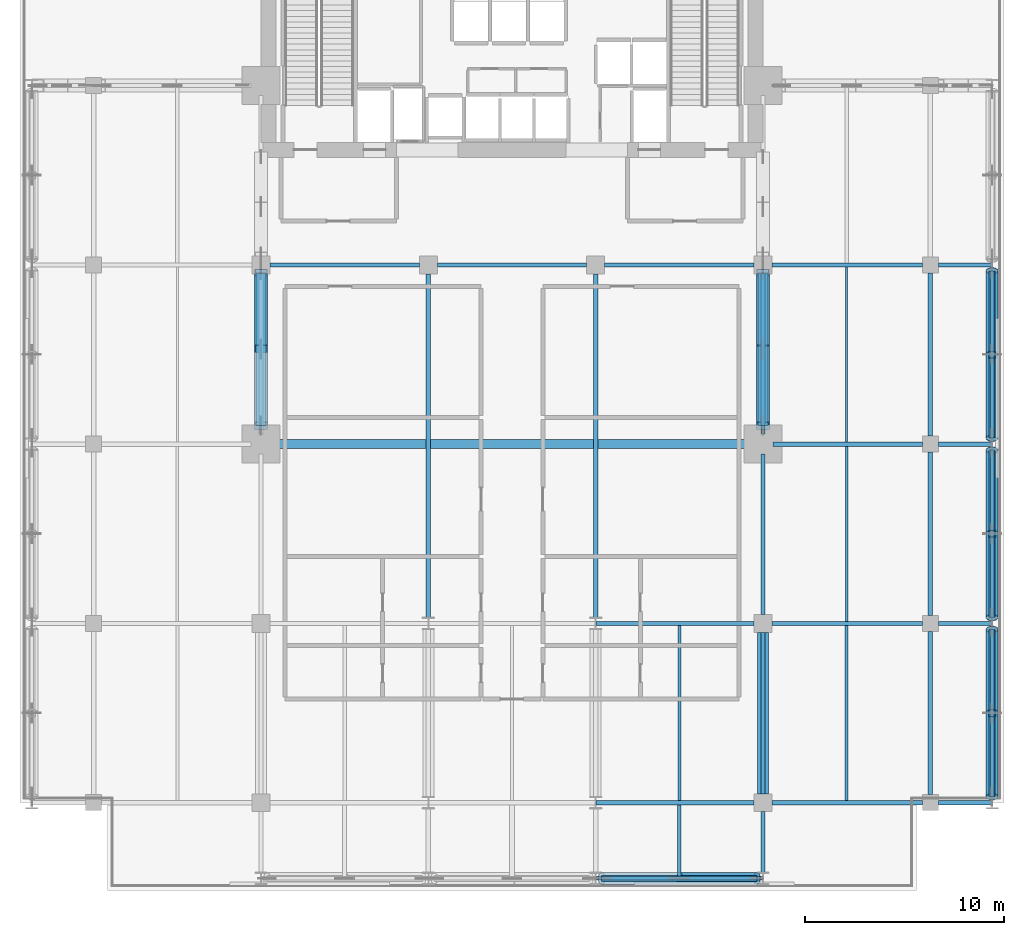
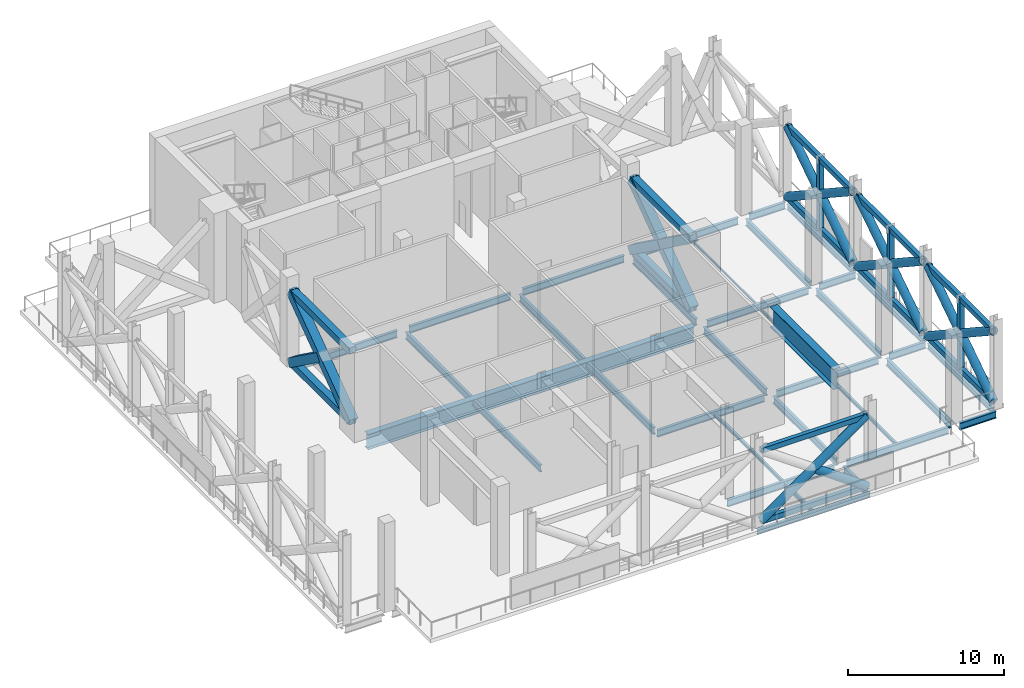
# One storey, part 3 of 14: 33 beams, 31 members.
"""IFC4 building model written with IfcOpenShell, lengths in metres."""

from ifc_helpers import new_model, si_unit, direction, frame, origin, origin_2d, place, context, subcontext, project, spatial, hollow_rectangle, hollow_circle, i_section, extrude, material, material_profile, profile_set, type_object, element, save


model = new_model("IFC4")

# Units and contexts
model_context = context("Model", 3, precision=1e-05, world=origin(), true_north=direction((0.0, 1.0)))
body_context = subcontext(model_context, "Body", "Model", "MODEL_VIEW")
ifc_project = project(units=[si_unit("LENGTHUNIT", "METRE"), si_unit("AREAUNIT", "SQUARE_METRE"), si_unit("VOLUMEUNIT", "CUBIC_METRE"), si_unit("PLANEANGLEUNIT", "RADIAN"), si_unit("MASSUNIT", "GRAM", prefix="KILO")], contexts=[model_context])

# Site, building, storey
site_placement = place(None, origin())
site = spatial("IfcSite", under=ifc_project, at=site_placement, CompositionType="ELEMENT")
building_placement = place(site_placement, origin())
building = spatial("IfcBuilding", under=site, at=building_placement, Name="Maruvema Waterfront Hotel and Observation Tower", CompositionType="ELEMENT")
storey_placement = place(building_placement, frame((0.0, 0.0, 227.5)))
storey = spatial("IfcBuildingStorey", under=building, at=storey_placement, Name="L56", CompositionType="ELEMENT", Elevation=227.5)

# Members
ifc_material_1 = material(Name="Steel ABNT NBR 7007 AR 415 (ASTM A572 Grade 50)", Category="steel")
ifc_material_profile_1 = material_profile(ifc_material_1, hollow_rectangle(XDim=0.5, YDim=0.5, WallThickness=0.028076171875, at=origin_2d()), Name="SHS500x500x28.0")
ifc_profile_set_1 = profile_set([ifc_material_profile_1], Name="Steel ABNT NBR 7007 AR 415 (ASTM A572 Grade 50)")
member_type_1 = type_object("IfcMemberType", Name="Outrigger Truss Chord SHS500x500x28.0", PredefinedType="CHORD", material=ifc_profile_set_1)
for number, where, z_axis, x_axis, name in (
    (1, (25.199951171875, 27.929931640625, 0.25), (0.0, 1.0, 0.0), (-1.0, 0.0, 0.0), "L56 Outrigger Truss Bottom Chord W1"),
    (2, (25.199951171875, 27.929931640625, 5.780029296875), (0.0, 1.0, 0.0), (-1.0, 0.0, 0.0), "L56 Outrigger Truss Top Chord W1"),
    (3, (50.39990234375, 27.929931640625, 0.25), (0.0, 1.0, 0.0), (-1.0, 0.0, 0.0), "L56 Outrigger Truss Bottom Chord E1"),
    (4, (50.39990234375, 27.929931640625, 5.780029296875), (0.0, 1.0, 0.0), (-1.0, 0.0, 0.0), "L56 Outrigger Truss Top Chord E1"),
):
    element("IfcMember", number, at=place(storey_placement, frame(where, z_axis=z_axis, x_axis=x_axis)), inside=storey, type_object=member_type_1, Name=name, PredefinedType="CHORD", context=body_context, shape_type="SweptSolid", body=[
        extrude(hollow_rectangle(XDim=0.5, YDim=0.5, WallThickness=0.028076171875, at=origin_2d()), origin(), (0.0, 0.0, 1.0), 7.670166015625),
    ])
ifc_material_2 = material(Name="Steel ABNT NBR 7007 AR 415 (ASTM A572 Grade 50)", Category="steel")
ifc_material_profile_2 = material_profile(ifc_material_2, hollow_rectangle(XDim=0.64990234375, YDim=0.64990234375, WallThickness=0.035888671875, at=origin_2d()), Name="SHS650x650x36.0")
ifc_profile_set_2 = profile_set([ifc_material_profile_2], Name="Steel ABNT NBR 7007 AR 415 (ASTM A572 Grade 50)")
member_type_2 = type_object("IfcMemberType", Name="Outrigger Truss Diagonal SHS650x650x36.0", PredefinedType="BRACE", material=ifc_profile_set_2)
member_1_placement = place(storey_placement, frame((25.199951171875, 27.929931640625, 0.25), z_axis=(0.0, 0.811157579108, 0.584827651411), x_axis=(-1.0, 0.0, 0.0)))
element("IfcMember", 5, at=member_1_placement, inside=storey, type_object=member_type_2, Name="L56 Outrigger Truss Diagonal W1 Continuous A", PredefinedType="BRACE", context=body_context, shape_type="SweptSolid", body=[
    extrude(hollow_rectangle(XDim=0.64990234375, YDim=0.64990234375, WallThickness=0.035888671875, at=origin_2d()), origin(), (0.0, 0.0, 1.0), 9.455810546875),
])
member_2_placement = place(storey_placement, frame((25.199951171875, 35.60009765625, 0.25), z_axis=(0.0, -0.811146629148, 0.584842838737), x_axis=(1.0, 0.0, 0.0)))
element("IfcMember", 6, at=member_2_placement, inside=storey, type_object=member_type_2, Name="L56 Outrigger Truss Diagonal W1 Split Lower B1", PredefinedType="BRACE", context=body_context, shape_type="SweptSolid", body=[
    extrude(hollow_rectangle(XDim=0.64990234375, YDim=0.64990234375, WallThickness=0.035888671875, at=origin_2d()), origin(), (0.0, 0.0, 1.0), 4.7080078125),
])
member_3_placement = place(storey_placement, frame((50.39990234375, 27.929931640625, 0.25), z_axis=(0.0, 0.811157579108, 0.584827651411), x_axis=(-1.0, 0.0, 0.0)))
element("IfcMember", 7, at=member_3_placement, inside=storey, type_object=member_type_2, Name="L56 Outrigger Truss Diagonal E1 Continuous A", PredefinedType="BRACE", context=body_context, shape_type="SweptSolid", body=[
    extrude(hollow_rectangle(XDim=0.64990234375, YDim=0.64990234375, WallThickness=0.035888671875, at=origin_2d()), origin(), (0.0, 0.0, 1.0), 9.455810546875),
])
for number, where, z_axis, x_axis, name in (
    (8, (50.39990234375, 35.60009765625, 0.25), (0.0, -0.811146629148, 0.584842838737), (1.0, 0.0, 0.0), "L56 Outrigger Truss Diagonal E1 Split Lower B1"),
    (9, (50.39990234375, 31.748779296875, 3.026611328125), (0.0, -0.811146629148, 0.584842838737), (1.0, 0.0, 0.0), "L56 Outrigger Truss Diagonal E1 Split Upper B2"),
):
    element("IfcMember", number, at=place(storey_placement, frame(where, z_axis=z_axis, x_axis=x_axis)), inside=storey, type_object=member_type_2, Name=name, PredefinedType="BRACE", context=body_context, shape_type="SweptSolid", body=[
        extrude(hollow_rectangle(XDim=0.64990234375, YDim=0.64990234375, WallThickness=0.035888671875, at=origin_2d()), origin(), (0.0, 0.0, 1.0), 4.7080078125),
    ])
ifc_material_3 = material(Name="Steel ABNT NBR 7007 AR 415 (ASTM A572 Grade 50)", Category="steel")
ifc_material_profile_3 = material_profile(ifc_material_3, hollow_rectangle(XDim=0.300048828125, YDim=0.39990234375, WallThickness=0.02001953125, at=origin_2d()), Name="RHS400x300x20.0")
ifc_profile_set_3 = profile_set([ifc_material_profile_3], Name="Steel ABNT NBR 7007 AR 415 (ASTM A572 Grade 50)")
member_type_3 = type_object("IfcMemberType", Name="Perimeter Belt Truss Chord RHS400x300x20.0", PredefinedType="CHORD", material=ifc_profile_set_3)
for number, where, z_axis, x_axis, name in (
    (10, (61.89990234375, 9.300048828125, 0.25), (0.0, 1.0, 0.0), (-1.0, 0.0, 0.0), "L56 Perimeter Belt Truss Chord E5"),
    (11, (61.89990234375, 9.300048828125, 5.780029296875), (0.0, 1.0, 0.0), (-1.0, 0.0, 0.0), "L56 Perimeter Belt Truss Top Chord E5"),
    (12, (61.89990234375, 18.300048828125, 0.25), (0.0, 1.0, 0.0), (-1.0, 0.0, 0.0), "L56 Perimeter Belt Truss Chord E6"),
    (13, (61.89990234375, 18.300048828125, 5.780029296875), (0.0, 1.0, 0.0), (-1.0, 0.0, 0.0), "L56 Perimeter Belt Truss Top Chord E6"),
    (14, (61.89990234375, 27.300048828125, 0.25), (0.0, 1.0, 0.0), (-1.0, 0.0, 0.0), "L56 Perimeter Belt Truss Chord E7"),
    (15, (61.89990234375, 27.300048828125, 5.780029296875), (0.0, 1.0, 0.0), (-1.0, 0.0, 0.0), "L56 Perimeter Belt Truss Top Chord E7"),
):
    element("IfcMember", number, at=place(storey_placement, frame(where, z_axis=z_axis, x_axis=x_axis)), inside=storey, type_object=member_type_3, Name=name, PredefinedType="CHORD", context=body_context, shape_type="SweptSolid", body=[
        extrude(hollow_rectangle(XDim=0.300048828125, YDim=0.39990234375, WallThickness=0.02001953125, at=origin_2d()), origin(), (0.0, 0.0, 1.0), 8.39990234375),
    ])
for number, where, z_axis, x_axis, name in (
    (16, (42.300048828125, 5.199951171875, 0.25), (1.0, 0.0, 0.0), (0.0, 1.0, 0.0), "L56 South Perimeter Belt Truss Chord 3"),
    (17, (42.300048828125, 5.199951171875, 5.780029296875), (1.0, 0.0, 0.0), (0.0, 1.0, 0.0), "L56 South Perimeter Belt Truss Top Chord 3"),
):
    element("IfcMember", number, at=place(storey_placement, frame(where, z_axis=z_axis, x_axis=x_axis)), inside=storey, type_object=member_type_3, Name=name, PredefinedType="CHORD", context=body_context, shape_type="SweptSolid", body=[
        extrude(hollow_rectangle(XDim=0.300048828125, YDim=0.39990234375, WallThickness=0.02001953125, at=origin_2d()), origin(), (0.0, 0.0, 1.0), 7.800048828125),
    ])
ifc_material_4 = material(Name="Steel ABNT NBR 7007 AR 350 (ASTM A572 Grade 50)", Category="steel")
ifc_material_profile_4 = material_profile(ifc_material_4, hollow_circle(Radius=0.304931640625, WallThickness=0.02490234375, at=origin_2d()), Name="CHS610.0x25.0")
ifc_profile_set_4 = profile_set([ifc_material_profile_4], Name="Steel ABNT NBR 7007 AR 350 (ASTM A572 Grade 50)")
member_type_4 = type_object("IfcMemberType", Name="Perimeter Belt Truss Diagonal CHS610.0x25.0", PredefinedType="BRACE", material=ifc_profile_set_4)
member_4_placement = place(storey_placement, frame((61.89990234375, 9.300048828125, 0.25), z_axis=(0.0, 0.835244562072, 0.549878642547), x_axis=(-1.0, 0.0, 0.0)))
element("IfcMember", 18, at=member_4_placement, inside=storey, type_object=member_type_4, Name="L56 Perimeter Belt Truss Diagonal E5 Continuous A", PredefinedType="BRACE", context=body_context, shape_type="SweptSolid", body=[
    extrude(hollow_circle(Radius=0.304931640625, WallThickness=0.02490234375, at=origin_2d()), origin(), (0.0, 0.0, 1.0), 10.056884765625),
])
for number, where, z_axis, x_axis, name in (
    (19, (61.89990234375, 17.699951171875, 0.25), (0.0, -0.835260962729, 0.549853729769), (1.0, 0.0, 0.0), "L56 Perimeter Belt Truss Diagonal E5 Split Lower B1"),
    (20, (61.89990234375, 13.4833984375, 3.02587890625), (0.0, -0.835238575042, 0.549887736507), (1.0, 0.0, 0.0), "L56 Perimeter Belt Truss Diagonal E5 Split Upper B2"),
):
    element("IfcMember", number, at=place(storey_placement, frame(where, z_axis=z_axis, x_axis=x_axis)), inside=storey, type_object=member_type_4, Name=name, PredefinedType="BRACE", context=body_context, shape_type="SweptSolid", body=[
        extrude(hollow_circle(Radius=0.304931640625, WallThickness=0.02490234375, at=origin_2d()), origin(), (0.0, 0.0, 1.0), 5.008544921875),
    ])
member_5_placement = place(storey_placement, frame((61.89990234375, 18.300048828125, 0.25), z_axis=(0.0, 0.835244562072, 0.549878642547), x_axis=(-1.0, 0.0, 0.0)))
element("IfcMember", 21, at=member_5_placement, inside=storey, type_object=member_type_4, Name="L56 Perimeter Belt Truss Diagonal E6 Continuous A", PredefinedType="BRACE", context=body_context, shape_type="SweptSolid", body=[
    extrude(hollow_circle(Radius=0.304931640625, WallThickness=0.02490234375, at=origin_2d()), origin(), (0.0, 0.0, 1.0), 10.056884765625),
])
for number, where, z_axis, x_axis, name in (
    (22, (61.89990234375, 26.699951171875, 0.25), (0.0, -0.835260962729, 0.549853729769), (1.0, 0.0, 0.0), "L56 Perimeter Belt Truss Diagonal E6 Split Lower B1"),
    (23, (61.89990234375, 22.4833984375, 3.02587890625), (0.0, -0.835238575042, 0.549887736507), (1.0, 0.0, 0.0), "L56 Perimeter Belt Truss Diagonal E6 Split Upper B2"),
):
    element("IfcMember", number, at=place(storey_placement, frame(where, z_axis=z_axis, x_axis=x_axis)), inside=storey, type_object=member_type_4, Name=name, PredefinedType="BRACE", context=body_context, shape_type="SweptSolid", body=[
        extrude(hollow_circle(Radius=0.304931640625, WallThickness=0.02490234375, at=origin_2d()), origin(), (0.0, 0.0, 1.0), 5.008544921875),
    ])
member_6_placement = place(storey_placement, frame((61.89990234375, 27.300048828125, 0.25), z_axis=(0.0, 0.835244562072, 0.549878642547), x_axis=(-1.0, 0.0, 0.0)))
element("IfcMember", 24, at=member_6_placement, inside=storey, type_object=member_type_4, Name="L56 Perimeter Belt Truss Diagonal E7 Continuous A", PredefinedType="BRACE", context=body_context, shape_type="SweptSolid", body=[
    extrude(hollow_circle(Radius=0.304931640625, WallThickness=0.02490234375, at=origin_2d()), origin(), (0.0, 0.0, 1.0), 10.056884765625),
])
for number, where, z_axis, x_axis, name in (
    (25, (61.89990234375, 35.699951171875, 0.25), (0.0, -0.835260962729, 0.549853729769), (1.0, 0.0, 0.0), "L56 Perimeter Belt Truss Diagonal E7 Split Lower B1"),
    (26, (61.89990234375, 31.4833984375, 3.02587890625), (0.0, -0.835238575042, 0.549887736507), (1.0, 0.0, 0.0), "L56 Perimeter Belt Truss Diagonal E7 Split Upper B2"),
):
    element("IfcMember", number, at=place(storey_placement, frame(where, z_axis=z_axis, x_axis=x_axis)), inside=storey, type_object=member_type_4, Name=name, PredefinedType="BRACE", context=body_context, shape_type="SweptSolid", body=[
        extrude(hollow_circle(Radius=0.304931640625, WallThickness=0.02490234375, at=origin_2d()), origin(), (0.0, 0.0, 1.0), 5.008544921875),
    ])
member_7_placement = place(storey_placement, frame((42.300048828125, 5.199951171875, 0.25), z_axis=(0.815778013583, 0.0, 0.578365137741), x_axis=(0.0, 1.0, 0.0)))
element("IfcMember", 27, at=member_7_placement, inside=storey, type_object=member_type_4, Name="L56 South Perimeter Belt Truss Diagonal 3 Continuous A", PredefinedType="BRACE", context=body_context, shape_type="SweptSolid", body=[
    extrude(hollow_circle(Radius=0.304931640625, WallThickness=0.02490234375, at=origin_2d()), origin(), (0.0, 0.0, 1.0), 9.5615234375),
])
member_8_placement = place(storey_placement, frame((50.10009765625, 5.199951171875, 0.25), z_axis=(-0.815786560576, 0.0, 0.578353082108), x_axis=(0.0, -1.0, 0.0)))
element("IfcMember", 28, at=member_8_placement, inside=storey, type_object=member_type_4, Name="L56 South Perimeter Belt Truss Diagonal 3 Split Lower B1", PredefinedType="BRACE", context=body_context, shape_type="SweptSolid", body=[
    extrude(hollow_circle(Radius=0.304931640625, WallThickness=0.02490234375, at=origin_2d()), origin(), (0.0, 0.0, 1.0), 4.7607421875),
])
ifc_material_5 = material(Name="Steel ABNT NBR 7007 AR 415 (ASTM A572 Grade 50)", Category="steel")
ifc_material_profile_5 = material_profile(ifc_material_5, hollow_rectangle(XDim=0.35009765625, YDim=0.35009765625, WallThickness=0.02001953125, at=origin_2d()), Name="SHS350x350x20.0")
ifc_profile_set_5 = profile_set([ifc_material_profile_5], Name="Steel ABNT NBR 7007 AR 415 (ASTM A572 Grade 50)")
member_type_5 = type_object("IfcMemberType", Name="Perimeter Belt Truss Post SHS350x350x20.0", PredefinedType="POST", material=ifc_profile_set_5)
for number, where, z_axis, x_axis, name in (
    (29, (61.89990234375, 13.5, 0.25), (0.0, 0.0, 1.0), (1.0, 0.0, 0.0), "L56 Perimeter Belt Truss Post E5"),
    (30, (61.89990234375, 22.5, 0.25), (0.0, 0.0, 1.0), (1.0, 0.0, 0.0), "L56 Perimeter Belt Truss Post E6"),
    (31, (61.89990234375, 31.5, 0.25), (0.0, 0.0, 1.0), (1.0, 0.0, 0.0), "L56 Perimeter Belt Truss Post E7"),
):
    element("IfcMember", number, at=place(storey_placement, frame(where, z_axis=z_axis, x_axis=x_axis)), inside=storey, type_object=member_type_5, Name=name, PredefinedType="POST", context=body_context, shape_type="SweptSolid", body=[
        extrude(hollow_rectangle(XDim=0.35009765625, YDim=0.35009765625, WallThickness=0.02001953125, at=origin_2d()), origin(), (0.0, 0.0, 1.0), 5.530029296875),
    ])

# Beams
ifc_material_6 = material(Name="Steel ASTM A572 Grade 50", Category="steel")
ifc_material_profile_6 = material_profile(ifc_material_6, i_section(OverallWidth=0.178955078125, OverallDepth=0.409912109375, WebThickness=0.0087890625, FlangeThickness=0.014404296875, FilletRadius=0.014892578125, at=origin_2d()), Name="W410x67.0")
ifc_profile_set_6 = profile_set([ifc_material_profile_6], Name="Steel ASTM A572 Grade 50")
beam_type_1 = type_object("IfcBeamType", Name="Perimeter Spandrel Beam W410x67.0", PredefinedType="SPANDREL", material=ifc_profile_set_6)
beam_1_placement = place(storey_placement, frame((42.012451171875, 5.199951171875, -0.5048828125), z_axis=(1.0, 0.0, 0.0), x_axis=(0.0, 1.0, 0.0)))
element("IfcBeam", 32, at=beam_1_placement, inside=storey, type_object=beam_type_1, Name="L56 Floor Girder EW-03", PredefinedType="SPANDREL", context=body_context, shape_type="SweptSolid", body=[
    extrude(i_section(OverallWidth=0.178955078125, OverallDepth=0.409912109375, WebThickness=0.0087890625, FlangeThickness=0.014404296875, FilletRadius=0.014892578125, at=origin_2d()), origin(), (0.0, 0.0, 1.0), 8.375),
])
for number, where, z_axis, x_axis, name in (
    (33, (61.89990234375, 9.300048828125, -0.5048828125), (0.0, 1.0, 0.0), (-1.0, 0.0, 0.0), "L56 Floor Girder NS-29"),
    (34, (61.89990234375, 18.300048828125, -0.5048828125), (0.0, 1.0, 0.0), (-1.0, 0.0, 0.0), "L56 Floor Girder NS-30"),
    (35, (61.89990234375, 27.300048828125, -0.5048828125), (0.0, 1.0, 0.0), (-1.0, 0.0, 0.0), "L56 Floor Girder NS-31"),
):
    element("IfcBeam", number, at=place(storey_placement, frame(where, z_axis=z_axis, x_axis=x_axis)), inside=storey, type_object=beam_type_1, Name=name, PredefinedType="SPANDREL", context=body_context, shape_type="SweptSolid", body=[
        extrude(i_section(OverallWidth=0.178955078125, OverallDepth=0.409912109375, WebThickness=0.0087890625, FlangeThickness=0.014404296875, FilletRadius=0.014892578125, at=origin_2d()), origin(), (0.0, 0.0, 1.0), 8.39990234375),
    ])
ifc_material_7 = material(Name="Steel ASTM A572 Grade 50", Category="steel")
ifc_material_profile_7 = material_profile(ifc_material_7, i_section(OverallWidth=0.2109375, OverallDepth=0.5390625, WebThickness=0.01171875, FlangeThickness=0.018798828125, FilletRadius=0.014892578125, at=origin_2d()), Name="W530x109.0")
ifc_profile_set_7 = profile_set([ifc_material_profile_7], Name="Steel ASTM A572 Grade 50")
beam_type_2 = type_object("IfcBeamType", Name="Primary Floor Girder W530x109.0", PredefinedType="BEAM", material=ifc_profile_set_7)
beam_2_placement = place(storey_placement, frame((42.012451171875, 9.0, -0.569580078125), z_axis=(1.0, 0.0, 0.0), x_axis=(0.0, 1.0, 0.0)))
element("IfcBeam", 36, at=beam_2_placement, inside=storey, type_object=beam_type_2, Name="L56 Floor Girder EW-08", PredefinedType="BEAM", context=body_context, shape_type="SweptSolid", body=[
    extrude(i_section(OverallWidth=0.2109375, OverallDepth=0.5390625, WebThickness=0.01171875, FlangeThickness=0.018798828125, FilletRadius=0.014892578125, at=origin_2d()), origin(), (0.0, 0.0, 1.0), 7.9375),
])
beam_3_placement = place(storey_placement, frame((50.85009765625, 9.0, -0.569580078125), z_axis=(1.0, 0.0, 0.0), x_axis=(0.0, 1.0, 0.0)))
element("IfcBeam", 37, at=beam_3_placement, inside=storey, type_object=beam_type_2, Name="L56 Floor Girder EW-09", PredefinedType="BEAM", context=body_context, shape_type="SweptSolid", body=[
    extrude(i_section(OverallWidth=0.2109375, OverallDepth=0.5390625, WebThickness=0.01171875, FlangeThickness=0.018798828125, FilletRadius=0.014892578125, at=origin_2d()), origin(), (0.0, 0.0, 1.0), 7.5498046875),
])
beam_4_placement = place(storey_placement, frame((59.199951171875, 9.0, -0.569580078125), z_axis=(1.0, 0.0, 0.0), x_axis=(0.0, 1.0, 0.0)))
element("IfcBeam", 38, at=beam_4_placement, inside=storey, type_object=beam_type_2, Name="L56 Floor Girder EW-10", PredefinedType="BEAM", context=body_context, shape_type="SweptSolid", body=[
    extrude(i_section(OverallWidth=0.2109375, OverallDepth=0.5390625, WebThickness=0.01171875, FlangeThickness=0.018798828125, FilletRadius=0.014892578125, at=origin_2d()), origin(), (0.0, 0.0, 1.0), 2.6875),
])
beam_5_placement = place(storey_placement, frame((42.012451171875, 18.0, -0.569580078125), z_axis=(1.0, 0.0, 0.0), x_axis=(0.0, 1.0, 0.0)))
element("IfcBeam", 39, at=beam_5_placement, inside=storey, type_object=beam_type_2, Name="L56 Floor Girder EW-15", PredefinedType="BEAM", context=body_context, shape_type="SweptSolid", body=[
    extrude(i_section(OverallWidth=0.2109375, OverallDepth=0.5390625, WebThickness=0.01171875, FlangeThickness=0.018798828125, FilletRadius=0.014892578125, at=origin_2d()), origin(), (0.0, 0.0, 1.0), 7.9375),
])
beam_6_placement = place(storey_placement, frame((50.85009765625, 18.0, -0.569580078125), z_axis=(1.0, 0.0, 0.0), x_axis=(0.0, 1.0, 0.0)))
element("IfcBeam", 40, at=beam_6_placement, inside=storey, type_object=beam_type_2, Name="L56 Floor Girder EW-16", PredefinedType="BEAM", context=body_context, shape_type="SweptSolid", body=[
    extrude(i_section(OverallWidth=0.2109375, OverallDepth=0.5390625, WebThickness=0.01171875, FlangeThickness=0.018798828125, FilletRadius=0.014892578125, at=origin_2d()), origin(), (0.0, 0.0, 1.0), 7.5498046875),
])
beam_7_placement = place(storey_placement, frame((59.199951171875, 18.0, -0.569580078125), z_axis=(1.0, 0.0, 0.0), x_axis=(0.0, 1.0, 0.0)))
element("IfcBeam", 41, at=beam_7_placement, inside=storey, type_object=beam_type_2, Name="L56 Floor Girder EW-17", PredefinedType="BEAM", context=body_context, shape_type="SweptSolid", body=[
    extrude(i_section(OverallWidth=0.2109375, OverallDepth=0.5390625, WebThickness=0.01171875, FlangeThickness=0.018798828125, FilletRadius=0.014892578125, at=origin_2d()), origin(), (0.0, 0.0, 1.0), 2.6875),
])
beam_8_placement = place(storey_placement, frame((50.89990234375, 27.0, -0.569580078125), z_axis=(1.0, 0.0, 0.0), x_axis=(0.0, 1.0, 0.0)))
element("IfcBeam", 42, at=beam_8_placement, inside=storey, type_object=beam_type_2, Name="L56 Floor Girder EW-21", PredefinedType="BEAM", context=body_context, shape_type="SweptSolid", body=[
    extrude(i_section(OverallWidth=0.2109375, OverallDepth=0.5390625, WebThickness=0.01171875, FlangeThickness=0.018798828125, FilletRadius=0.014892578125, at=origin_2d()), origin(), (0.0, 0.0, 1.0), 7.5),
])
beam_9_placement = place(storey_placement, frame((59.199951171875, 27.0, -0.569580078125), z_axis=(1.0, 0.0, 0.0), x_axis=(0.0, 1.0, 0.0)))
element("IfcBeam", 43, at=beam_9_placement, inside=storey, type_object=beam_type_2, Name="L56 Floor Girder EW-22", PredefinedType="BEAM", context=body_context, shape_type="SweptSolid", body=[
    extrude(i_section(OverallWidth=0.2109375, OverallDepth=0.5390625, WebThickness=0.01171875, FlangeThickness=0.018798828125, FilletRadius=0.014892578125, at=origin_2d()), origin(), (0.0, 0.0, 1.0), 2.6875),
])
for number, where, z_axis, x_axis, name in (
    (44, (25.64990234375, 36.0, -0.569580078125), (1.0, 0.0, 0.0), (0.0, 1.0, 0.0), "L56 Floor Girder EW-25"),
    (45, (34.050048828125, 36.0, -0.569580078125), (1.0, 0.0, 0.0), (0.0, 1.0, 0.0), "L56 Floor Girder EW-26"),
    (46, (42.449951171875, 36.0, -0.569580078125), (1.0, 0.0, 0.0), (0.0, 1.0, 0.0), "L56 Floor Girder EW-27"),
):
    element("IfcBeam", number, at=place(storey_placement, frame(where, z_axis=z_axis, x_axis=x_axis)), inside=storey, type_object=beam_type_2, Name=name, PredefinedType="BEAM", context=body_context, shape_type="SweptSolid", body=[
        extrude(i_section(OverallWidth=0.2109375, OverallDepth=0.5390625, WebThickness=0.01171875, FlangeThickness=0.018798828125, FilletRadius=0.014892578125, at=origin_2d()), origin(), (0.0, 0.0, 1.0), 7.5),
    ])
beam_10_placement = place(storey_placement, frame((50.85009765625, 36.0, -0.569580078125), z_axis=(1.0, 0.0, 0.0), x_axis=(0.0, 1.0, 0.0)))
element("IfcBeam", 47, at=beam_10_placement, inside=storey, type_object=beam_type_2, Name="L56 Floor Girder EW-28", PredefinedType="BEAM", context=body_context, shape_type="SweptSolid", body=[
    extrude(i_section(OverallWidth=0.2109375, OverallDepth=0.5390625, WebThickness=0.01171875, FlangeThickness=0.018798828125, FilletRadius=0.014892578125, at=origin_2d()), origin(), (0.0, 0.0, 1.0), 7.5498046875),
])
beam_11_placement = place(storey_placement, frame((59.199951171875, 36.0, -0.569580078125), z_axis=(1.0, 0.0, 0.0), x_axis=(0.0, 1.0, 0.0)))
element("IfcBeam", 48, at=beam_11_placement, inside=storey, type_object=beam_type_2, Name="L56 Floor Girder EW-29", PredefinedType="BEAM", context=body_context, shape_type="SweptSolid", body=[
    extrude(i_section(OverallWidth=0.2109375, OverallDepth=0.5390625, WebThickness=0.01171875, FlangeThickness=0.018798828125, FilletRadius=0.014892578125, at=origin_2d()), origin(), (0.0, 0.0, 1.0), 2.6875),
])
for number, where, z_axis, x_axis, name in (
    (49, (33.60009765625, 18.300048828125, -0.569580078125), (0.0, 1.0, 0.0), (-1.0, 0.0, 0.0), "L56 Floor Girder NS-16"),
    (50, (42.0, 18.300048828125, -0.569580078125), (0.0, 1.0, 0.0), (-1.0, 0.0, 0.0), "L56 Floor Girder NS-19"),
):
    element("IfcBeam", number, at=place(storey_placement, frame(where, z_axis=z_axis, x_axis=x_axis)), inside=storey, type_object=beam_type_2, Name=name, PredefinedType="BEAM", context=body_context, shape_type="SweptSolid", body=[
        extrude(i_section(OverallWidth=0.2109375, OverallDepth=0.5390625, WebThickness=0.01171875, FlangeThickness=0.018798828125, FilletRadius=0.014892578125, at=origin_2d()), origin(), (0.0, 0.0, 1.0), 17.25),
    ])
beam_12_placement = place(storey_placement, frame((50.39990234375, 5.5, -0.569580078125), z_axis=(0.0, 1.0, 0.0), x_axis=(-1.0, 0.0, 0.0)))
element("IfcBeam", 51, at=beam_12_placement, inside=storey, type_object=beam_type_2, Name="L56 Floor Girder NS-20", PredefinedType="BEAM", context=body_context, shape_type="SweptSolid", body=[
    extrude(i_section(OverallWidth=0.2109375, OverallDepth=0.5390625, WebThickness=0.01171875, FlangeThickness=0.018798828125, FilletRadius=0.014892578125, at=origin_2d()), origin(), (0.0, 0.0, 1.0), 3.050048828125),
])
beam_13_placement = place(storey_placement, frame((50.39990234375, 9.449951171875, -0.569580078125), z_axis=(0.0, 1.0, 0.0), x_axis=(-1.0, 0.0, 0.0)))
element("IfcBeam", 52, at=beam_13_placement, inside=storey, type_object=beam_type_2, Name="L56 Floor Girder NS-21", PredefinedType="BEAM", context=body_context, shape_type="SweptSolid", body=[
    extrude(i_section(OverallWidth=0.2109375, OverallDepth=0.5390625, WebThickness=0.01171875, FlangeThickness=0.018798828125, FilletRadius=0.014892578125, at=origin_2d()), origin(), (0.0, 0.0, 1.0), 8.10009765625),
])
for number, where, z_axis, x_axis, name in (
    (53, (50.39990234375, 18.449951171875, -0.569580078125), (0.0, 1.0, 0.0), (-1.0, 0.0, 0.0), "L56 Floor Girder NS-22"),
    (54, (50.39990234375, 27.5, -0.569580078125), (0.0, 1.0, 0.0), (-1.0, 0.0, 0.0), "L56 Floor Girder NS-23"),
):
    element("IfcBeam", number, at=place(storey_placement, frame(where, z_axis=z_axis, x_axis=x_axis)), inside=storey, type_object=beam_type_2, Name=name, PredefinedType="BEAM", context=body_context, shape_type="SweptSolid", body=[
        extrude(i_section(OverallWidth=0.2109375, OverallDepth=0.5390625, WebThickness=0.01171875, FlangeThickness=0.018798828125, FilletRadius=0.014892578125, at=origin_2d()), origin(), (0.0, 0.0, 1.0), 8.050048828125),
    ])
for number, where, z_axis, x_axis, name in (
    (55, (58.800048828125, 9.39990234375, -0.569580078125), (0.0, 1.0, 0.0), (-1.0, 0.0, 0.0), "L56 Floor Girder NS-25"),
    (56, (58.800048828125, 18.39990234375, -0.569580078125), (0.0, 1.0, 0.0), (-1.0, 0.0, 0.0), "L56 Floor Girder NS-26"),
    (57, (58.800048828125, 27.39990234375, -0.569580078125), (0.0, 1.0, 0.0), (-1.0, 0.0, 0.0), "L56 Floor Girder NS-27"),
):
    element("IfcBeam", number, at=place(storey_placement, frame(where, z_axis=z_axis, x_axis=x_axis)), inside=storey, type_object=beam_type_2, Name=name, PredefinedType="BEAM", context=body_context, shape_type="SweptSolid", body=[
        extrude(i_section(OverallWidth=0.2109375, OverallDepth=0.5390625, WebThickness=0.01171875, FlangeThickness=0.018798828125, FilletRadius=0.014892578125, at=origin_2d()), origin(), (0.0, 0.0, 1.0), 8.2001953125),
    ])
ifc_material_8 = material(Name="Steel ASTM A572 Grade 50", Category="steel")
ifc_material_profile_8 = material_profile(ifc_material_8, i_section(OverallWidth=0.10009765625, OverallDepth=0.153076171875, WebThickness=0.005859375, FlangeThickness=0.007080078125, FilletRadius=0.008056640625, at=origin_2d()), Name="W150x18.0")
ifc_profile_set_8 = profile_set([ifc_material_profile_8], Name="Steel ASTM A572 Grade 50")
beam_type_3 = type_object("IfcBeamType", Name="Secondary Floor Joist W150x18.0", PredefinedType="JOIST", material=ifc_profile_set_8)
beam_14_placement = place(storey_placement, frame((54.60009765625, 27.10546875, -0.37646484375), z_axis=(0.0, 1.0, 0.0), x_axis=(-1.0, 0.0, 0.0)))
element("IfcBeam", 58, at=beam_14_placement, inside=storey, type_object=beam_type_3, Name="L56 Secondary Floor Joist JS-13", PredefinedType="JOIST", context=body_context, shape_type="SweptSolid", body=[
    extrude(i_section(OverallWidth=0.10009765625, OverallDepth=0.153076171875, WebThickness=0.005859375, FlangeThickness=0.007080078125, FilletRadius=0.008056640625, at=origin_2d()), origin(), (0.0, 0.0, 1.0), 8.7890625),
])
ifc_material_9 = material(Name="Steel ASTM A572 Grade 50", Category="steel")
ifc_material_profile_9 = material_profile(ifc_material_9, i_section(OverallWidth=0.133056640625, OverallDepth=0.20703125, WebThickness=0.005859375, FlangeThickness=0.00830078125, FilletRadius=0.010009765625, at=origin_2d()), Name="W200x26.6")
ifc_profile_set_9 = profile_set([ifc_material_profile_9], Name="Steel ASTM A572 Grade 50")
beam_type_4 = type_object("IfcBeamType", Name="Secondary Floor Joist W200x26.6", PredefinedType="JOIST", material=ifc_profile_set_9)
beam_15_placement = place(storey_placement, frame((54.60009765625, 18.10546875, -0.403564453125), z_axis=(0.0, 1.0, 0.0), x_axis=(-1.0, 0.0, 0.0)))
element("IfcBeam", 59, at=beam_15_placement, inside=storey, type_object=beam_type_4, Name="L56 Secondary Floor Joist JS-12", PredefinedType="JOIST", context=body_context, shape_type="SweptSolid", body=[
    extrude(i_section(OverallWidth=0.133056640625, OverallDepth=0.20703125, WebThickness=0.005859375, FlangeThickness=0.00830078125, FilletRadius=0.010009765625, at=origin_2d()), origin(), (0.0, 0.0, 1.0), 8.7890625),
])
ifc_material_10 = material(Name="Steel ASTM A572 Grade 50", Category="steel")
ifc_material_profile_10 = material_profile(ifc_material_10, i_section(OverallWidth=0.14599609375, OverallDepth=0.258056640625, WebThickness=0.006103515625, FlangeThickness=0.009033203125, FilletRadius=0.012939453125, at=origin_2d()), Name="W250x32.7")
ifc_profile_set_10 = profile_set([ifc_material_profile_10], Name="Steel ASTM A572 Grade 50")
beam_type_5 = type_object("IfcBeamType", Name="Secondary Floor Joist W250x32.7", PredefinedType="JOIST", material=ifc_profile_set_10)
beam_16_placement = place(storey_placement, frame((54.60009765625, 9.10546875, -0.428955078125), z_axis=(0.0, 1.0, 0.0), x_axis=(-1.0, 0.0, 0.0)))
element("IfcBeam", 60, at=beam_16_placement, inside=storey, type_object=beam_type_5, Name="L56 Secondary Floor Joist JS-11", PredefinedType="JOIST", context=body_context, shape_type="SweptSolid", body=[
    extrude(i_section(OverallWidth=0.14599609375, OverallDepth=0.258056640625, WebThickness=0.006103515625, FlangeThickness=0.009033203125, FilletRadius=0.012939453125, at=origin_2d()), origin(), (0.0, 0.0, 1.0), 8.7890625),
])
ifc_material_11 = material(Name="Steel ASTM A572 Grade 50", Category="steel")
ifc_material_profile_11 = material_profile(ifc_material_11, i_section(OverallWidth=0.14794921875, OverallDepth=0.26611328125, WebThickness=0.007568359375, FlangeThickness=0.012939453125, FilletRadius=0.012939453125, at=origin_2d()), Name="W250x44.8")
ifc_profile_set_11 = profile_set([ifc_material_profile_11], Name="Steel ASTM A572 Grade 50")
beam_type_6 = type_object("IfcBeamType", Name="Secondary Floor Joist W250x44.8", PredefinedType="JOIST", material=ifc_profile_set_11)
beam_17_placement = place(storey_placement, frame((46.199951171875, 9.10546875, -0.43310546875), z_axis=(0.0, 1.0, 0.0), x_axis=(-1.0, 0.0, 0.0)))
element("IfcBeam", 61, at=beam_17_placement, inside=storey, type_object=beam_type_6, Name="L56 Secondary Floor Joist JS-10", PredefinedType="JOIST", context=body_context, shape_type="SweptSolid", body=[
    extrude(i_section(OverallWidth=0.14794921875, OverallDepth=0.26611328125, WebThickness=0.007568359375, FlangeThickness=0.012939453125, FilletRadius=0.012939453125, at=origin_2d()), origin(), (0.0, 0.0, 1.0), 8.7890625),
])
ifc_material_12 = material(Name="Steel ASTM A572 Grade 50", Category="steel")
ifc_material_profile_12 = material_profile(ifc_material_12, i_section(OverallWidth=0.1650390625, OverallDepth=0.31005859375, WebThickness=0.005859375, FlangeThickness=0.009765625, FilletRadius=0.012939453125, at=origin_2d()), Name="W310x38.7")
ifc_profile_set_12 = profile_set([ifc_material_profile_12], Name="Steel ASTM A572 Grade 50")
beam_type_7 = type_object("IfcBeamType", Name="Secondary Floor Joist W310x38.7", PredefinedType="JOIST", material=ifc_profile_set_12)
beam_18_placement = place(storey_placement, frame((46.199951171875, 5.28955078125, -0.455078125), z_axis=(0.0, 1.0, 0.0), x_axis=(-1.0, 0.0, 0.0)))
element("IfcBeam", 62, at=beam_18_placement, inside=storey, type_object=beam_type_7, Name="L56 Secondary Floor Joist JS-09", PredefinedType="JOIST", context=body_context, shape_type="SweptSolid", body=[
    extrude(i_section(OverallWidth=0.1650390625, OverallDepth=0.31005859375, WebThickness=0.005859375, FlangeThickness=0.009765625, FilletRadius=0.012939453125, at=origin_2d()), origin(), (0.0, 0.0, 1.0), 3.60498046875),
])
ifc_material_13 = material(Name="Steel ABNT NBR 7007 AR 415 (ASTM A572 Grade 50)", Category="steel")
ifc_material_profile_13 = material_profile(ifc_material_13, i_section(OverallWidth=0.550048828125, OverallDepth=1.60009765625, WebThickness=0.02197265625, FlangeThickness=0.0400390625, at=origin_2d()), Name="VS1600x548")
ifc_profile_set_13 = profile_set([ifc_material_profile_13], Name="Steel ABNT NBR 7007 AR 415 (ASTM A572 Grade 50)")
beam_type_8 = type_object("IfcBeamType", Name="Setback Transfer Girder VS1600x548", PredefinedType="USERDEFINED", material=ifc_profile_set_13)
beam_19_placement = place(storey_placement, frame((50.39990234375, 9.449951171875, 5.9599609375), z_axis=(0.0, 1.0, 0.0), x_axis=(-1.0, 0.0, 0.0)))
element("IfcBeam", 63, at=beam_19_placement, inside=storey, type_object=beam_type_8, Name="L56 South Setback Transfer Girder X=50.4m", ObjectType="TRANSFER GIRDER", PredefinedType="USERDEFINED", context=body_context, shape_type="SweptSolid", body=[
    extrude(i_section(OverallWidth=0.550048828125, OverallDepth=1.60009765625, WebThickness=0.02197265625, FlangeThickness=0.0400390625, at=origin_2d()), origin(), (0.0, 0.0, 1.0), 8.10009765625),
])
ifc_material_14 = material(Name="Steel ABNT NBR 7007 AR 415 (ASTM A572 Grade 50)", Category="steel")
ifc_material_profile_14 = material_profile(ifc_material_14, i_section(OverallWidth=0.449951171875, OverallDepth=1.199951171875, WebThickness=0.01904296875, FlangeThickness=0.031982421875, at=origin_2d()), Name="VS1200x366")
ifc_profile_set_14 = profile_set([ifc_material_profile_14], Name="Steel ABNT NBR 7007 AR 415 (ASTM A572 Grade 50)")
beam_type_9 = type_object("IfcBeamType", Name="Upper Setback Transfer Girder VS1200x366", PredefinedType="USERDEFINED", material=ifc_profile_set_14)
beam_20_placement = place(storey_placement, frame((25.699951171875, 27.0, -0.89990234375), z_axis=(1.0, 0.0, 0.0), x_axis=(0.0, 1.0, 0.0)))
element("IfcBeam", 64, at=beam_20_placement, inside=storey, type_object=beam_type_9, Name="L56 Floor Girder EW-20", ObjectType="TRANSFER GIRDER", PredefinedType="USERDEFINED", context=body_context, shape_type="SweptSolid", body=[
    extrude(i_section(OverallWidth=0.449951171875, OverallDepth=1.199951171875, WebThickness=0.01904296875, FlangeThickness=0.031982421875, at=origin_2d()), origin(), (0.0, 0.0, 1.0), 24.199951171875),
])

save(model, "model.ifc")
